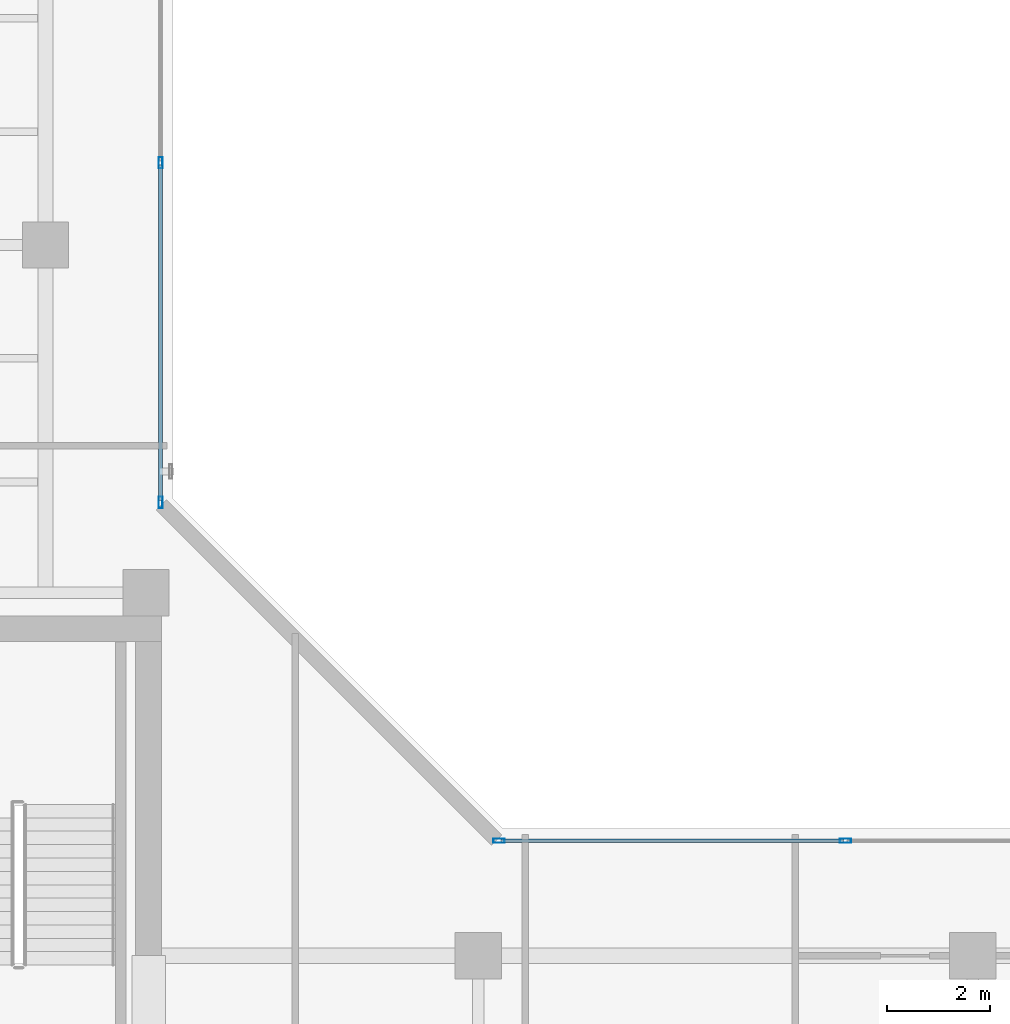
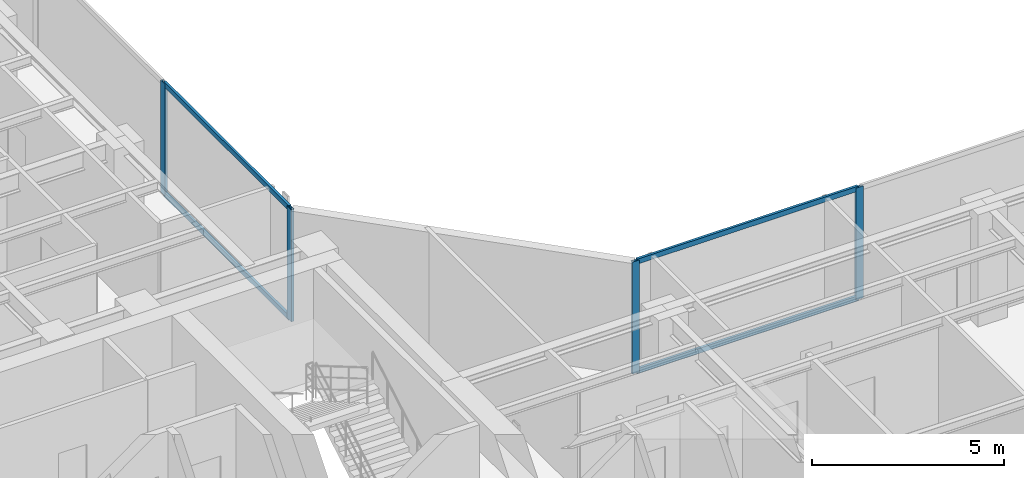
# One storey, part 10 of 22: 8 members, 2 elements without a shape of their own.
"""IFC4 building model written with IfcOpenShell, lengths in metres."""

from ifc_helpers import new_model, si_unit, direction, frame, origin, origin_with_axes, origin_2d, place, context, subcontext, project, spatial, hollow_rectangle, extrude, source, transform, mapped, material, layer, layer_set, material_profile, profile_set, type_object, element, aggregate, save


model = new_model("IFC4")

# Units and contexts
model_context = context("Model", 3, precision=1e-05, world=origin(), true_north=direction((0.0, 1.0)))
body_context = subcontext(model_context, "Body", "Model", "MODEL_VIEW")
ifc_project = project(units=[si_unit("LENGTHUNIT", "METRE"), si_unit("AREAUNIT", "SQUARE_METRE"), si_unit("VOLUMEUNIT", "CUBIC_METRE"), si_unit("PLANEANGLEUNIT", "RADIAN"), si_unit("MASSUNIT", "GRAM", prefix="KILO")], contexts=[model_context])

# Site, building, storey
site_placement = place(None, origin())
site = spatial("IfcSite", under=ifc_project, at=site_placement, CompositionType="ELEMENT")
building_placement = place(site_placement, origin())
building = spatial("IfcBuilding", under=site, at=building_placement, Name="Kolvaren Waterfront Exchange", CompositionType="ELEMENT")
storey_placement = place(building_placement, frame((0.0, 0.0, 308.39990234375)))
storey = spatial("IfcBuildingStorey", under=building, at=storey_placement, Name="L79", CompositionType="ELEMENT", Elevation=308.39990234375)

# Curtain wall, members
ifc_material_1 = material(Name="Anodised bronze aluminium 6063-T6", Category="aluminium")
ifc_layer = layer(ifc_material_1, 0.219970703125, Name="Anodised bronze aluminium 6063-T6")
ifc_layer_set = layer_set([ifc_layer], Name="Anodised bronze aluminium 6063-T6")
curtain_wall_type = type_object("IfcCurtainWallType", Name="ARC-CW-SYS1", PredefinedType="USERDEFINED", material=ifc_layer_set)
curtain_wall_1_placement = place(storey_placement, origin())
curtain_wall_1 = element("IfcCurtainWall", 1, at=curtain_wall_1_placement, inside=storey, type_object=curtain_wall_type, Name="L79 stick curtain wall CW1 (CW-L79-NE)", ObjectType="STICK CURTAIN WALL", PredefinedType="USERDEFINED")
ifc_material_2 = material(Name="Anodised aluminium 6063-T6", Category="aluminium")
ifc_material_profile_1 = material_profile(ifc_material_2, hollow_rectangle(XDim=0.080078125, YDim=0.219970703125, WallThickness=0.0048828125, at=origin_2d()), Name="ALU-MUL-220x80x5")
ifc_profile_set_1 = profile_set([ifc_material_profile_1], Name="Anodised aluminium 6063-T6")
member_type_1 = type_object("IfcMemberType", Name="ARC-CWM-220", PredefinedType="MULLION", material=ifc_profile_set_1)
shared_shape_1 = source(origin_with_axes(), body_context, "Body", "SweptSolid", [
    extrude(hollow_rectangle(XDim=0.080078125, YDim=0.219970703125, WallThickness=0.0048828125, at=origin_2d()), origin(), (0.0, 0.0, 1.0), 3.56005859375),
])
member_1_placement = place(storey_placement, frame((21.03369140625, 26.20361328125, 0.0), z_axis=(0.0, 0.0, 1.0), x_axis=(-1.0, 0.0, 0.0)))
member_1 = element("IfcMember", 2, at=member_1_placement, type_object=member_type_1, Name="CW1 mullion 1", PredefinedType="MULLION", context=body_context, shape_type="MappedRepresentation", body=[
    mapped(shared_shape_1, transform((0.0, 0.0, 0.0), x_axis=(1.0, 0.0, 0.0), y_axis=(0.0, 1.0, 0.0), z_axis=(0.0, 0.0, 1.0), scale=1.0)),
])
member_2_placement = place(storey_placement, frame((21.03369140625, 32.795166015625, 0.0), z_axis=(0.0, 0.0, 1.0), x_axis=(-1.0, 0.0, 0.0)))
member_2 = element("IfcMember", 3, at=member_2_placement, type_object=member_type_1, Name="CW1 mullion 2", PredefinedType="MULLION", context=body_context, shape_type="MappedRepresentation", body=[
    mapped(shared_shape_1, transform((0.0, 0.0, 0.0), x_axis=(1.0, 0.0, 0.0), y_axis=(0.0, 1.0, 0.0), z_axis=(0.0, 0.0, 1.0), scale=1.0)),
])

curtain_wall_2_placement = place(storey_placement, origin())
curtain_wall_2 = element("IfcCurtainWall", 4, at=curtain_wall_2_placement, inside=storey, type_object=curtain_wall_type, Name="L79 stick curtain wall CW1 (CW-L79-EN)", ObjectType="STICK CURTAIN WALL", PredefinedType="USERDEFINED")
member_3_placement = place(storey_placement, frame((27.603759765625, 19.6337890625, 0.0), z_axis=(0.0, 0.0, 1.0), x_axis=(0.0, 1.0, 0.0)))
member_3 = element("IfcMember", 5, at=member_3_placement, type_object=member_type_1, Name="CW1 mullion 1", PredefinedType="MULLION", context=body_context, shape_type="MappedRepresentation", body=[
    mapped(shared_shape_1, transform((0.0, 0.0, 0.0), x_axis=(1.0, 0.0, 0.0), y_axis=(0.0, 1.0, 0.0), z_axis=(0.0, 0.0, 1.0), scale=1.0)),
])
member_4_placement = place(storey_placement, frame((34.328369140625, 19.6337890625, 0.0), z_axis=(0.0, 0.0, 1.0), x_axis=(0.0, 1.0, 0.0)))
member_4 = element("IfcMember", 6, at=member_4_placement, type_object=member_type_1, Name="CW1 mullion 2", PredefinedType="MULLION", context=body_context, shape_type="MappedRepresentation", body=[
    mapped(shared_shape_1, transform((0.0, 0.0, 0.0), x_axis=(1.0, 0.0, 0.0), y_axis=(0.0, 1.0, 0.0), z_axis=(0.0, 0.0, 1.0), scale=1.0)),
])

# Member
ifc_material_profile_2 = material_profile(ifc_material_2, hollow_rectangle(XDim=0.074951171875, YDim=0.159912109375, WallThickness=0.00439453125, at=origin_2d()), Name="ALU-TRN-160x75x4.5")
ifc_profile_set_2 = profile_set([ifc_material_profile_2], Name="Anodised aluminium 6063-T6")
member_type_2 = type_object("IfcMemberType", Name="ARC-CWT-160", PredefinedType="USERDEFINED", material=ifc_profile_set_2)
shared_shape_2 = source(origin_with_axes(), body_context, "Body", "SweptSolid", [
    extrude(hollow_rectangle(XDim=0.074951171875, YDim=0.159912109375, WallThickness=0.00439453125, at=origin_2d()), origin(), (0.0, 0.0, 1.0), 6.511474609375),
])
member_5_placement = place(storey_placement, frame((21.03369140625, 26.24365234375, 0.03759765625), z_axis=(0.0, 1.0, 0.0), x_axis=(-1.0, 0.0, 0.0)))
member_5 = element("IfcMember", 7, at=member_5_placement, type_object=member_type_2, Name="CW1 transom 1.1", ObjectType="TRANSOM", PredefinedType="USERDEFINED", context=body_context, shape_type="MappedRepresentation", body=[
    mapped(shared_shape_2, transform((0.0, 0.0, 0.0), x_axis=(1.0, 0.0, 0.0), y_axis=(0.0, 1.0, 0.0), z_axis=(0.0, 0.0, 1.0), scale=1.0)),
])

member_6_placement = place(storey_placement, frame((21.03369140625, 26.24365234375, 3.522705078125), z_axis=(0.0, 1.0, 0.0), x_axis=(-1.0, 0.0, 0.0)))
member_6 = element("IfcMember", 8, at=member_6_placement, type_object=member_type_2, Name="CW1 transom 1.2", ObjectType="TRANSOM", PredefinedType="USERDEFINED", context=body_context, shape_type="MappedRepresentation", body=[
    mapped(shared_shape_2, transform((0.0, 0.0, 0.0), x_axis=(1.0, 0.0, 0.0), y_axis=(0.0, 1.0, 0.0), z_axis=(0.0, 0.0, 1.0), scale=1.0)),
])

aggregate(curtain_wall_1, [member_1, member_2, member_5, member_6])

shared_shape_3 = source(origin_with_axes(), body_context, "Body", "SweptSolid", [
    extrude(hollow_rectangle(XDim=0.074951171875, YDim=0.159912109375, WallThickness=0.00439453125, at=origin_2d()), origin(), (0.0, 0.0, 1.0), 6.64453125),
])
member_7_placement = place(storey_placement, frame((27.643798828125, 19.6337890625, 0.03759765625), z_axis=(1.0, 0.0, 0.0), x_axis=(0.0, 1.0, 0.0)))
member_7 = element("IfcMember", 9, at=member_7_placement, type_object=member_type_2, Name="CW1 transom 1.1", ObjectType="TRANSOM", PredefinedType="USERDEFINED", context=body_context, shape_type="MappedRepresentation", body=[
    mapped(shared_shape_3, transform((0.0, 0.0, 0.0), x_axis=(1.0, 0.0, 0.0), y_axis=(0.0, 1.0, 0.0), z_axis=(0.0, 0.0, 1.0), scale=1.0)),
])

member_8_placement = place(storey_placement, frame((27.643798828125, 19.6337890625, 3.522705078125), z_axis=(1.0, 0.0, 0.0), x_axis=(0.0, 1.0, 0.0)))
member_8 = element("IfcMember", 10, at=member_8_placement, type_object=member_type_2, Name="CW1 transom 1.2", ObjectType="TRANSOM", PredefinedType="USERDEFINED", context=body_context, shape_type="MappedRepresentation", body=[
    mapped(shared_shape_3, transform((0.0, 0.0, 0.0), x_axis=(1.0, 0.0, 0.0), y_axis=(0.0, 1.0, 0.0), z_axis=(0.0, 0.0, 1.0), scale=1.0)),
])

aggregate(curtain_wall_2, [member_3, member_4, member_7, member_8])

save(model, "model.ifc")
